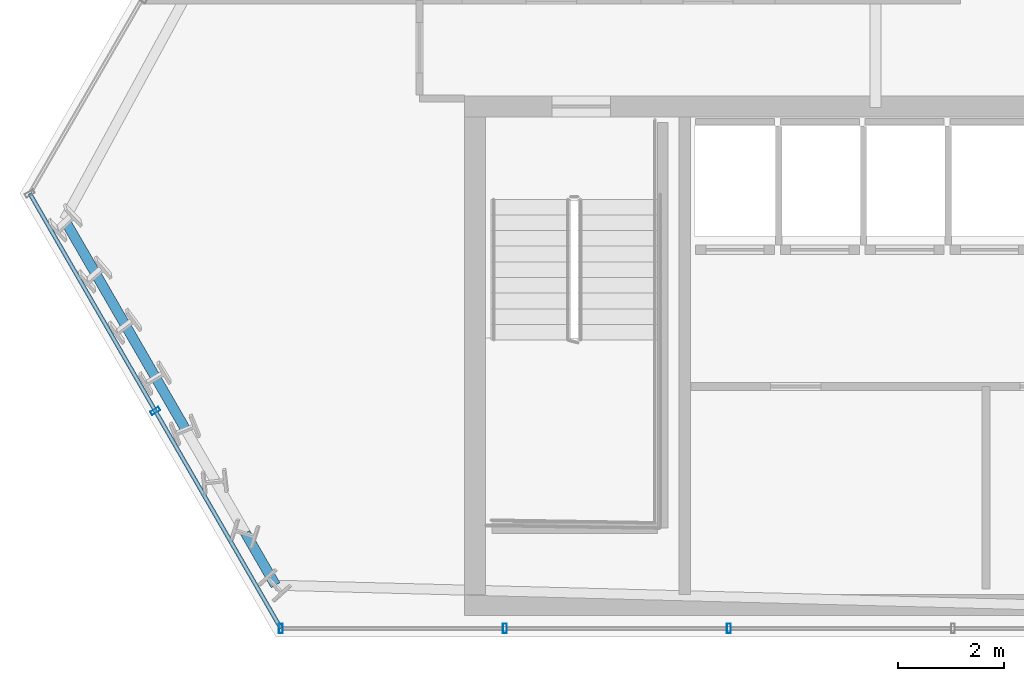
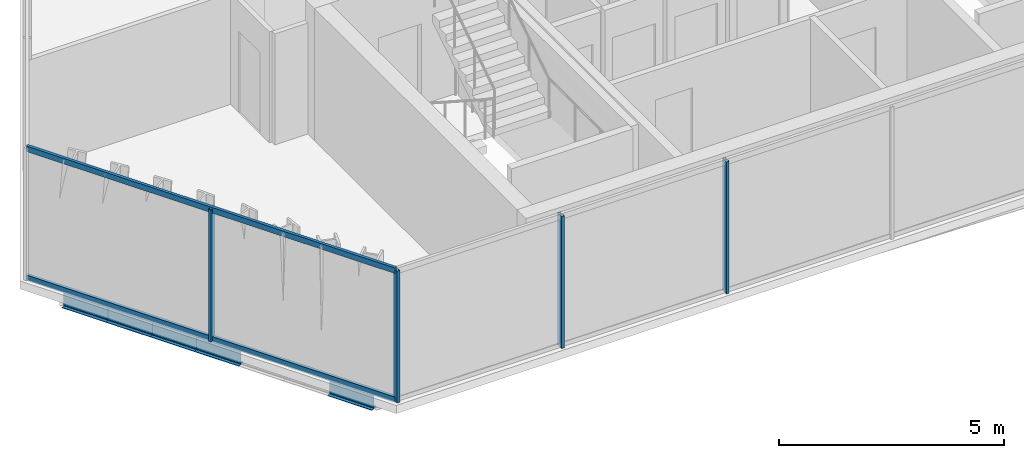
# One storey, part 2 of 33: 6 members, 5 beams, 2 elements without a shape of their own.
"""IFC4 building model written with IfcOpenShell, lengths in metres."""

from ifc_helpers import new_model, si_unit, direction, frame, origin, origin_2d, place, context, subcontext, project, spatial, hollow_rectangle, i_section, extrude, material, layer, layer_set, material_profile, profile_set, type_object, element, aggregate, save


model = new_model("IFC4")

# Units and contexts
model_context = context("Model", 3, precision=1e-05, world=origin(), true_north=direction((0.0, 1.0)))
body_context = subcontext(model_context, "Body", "Model", "MODEL_VIEW")
ifc_project = project(units=[si_unit("LENGTHUNIT", "METRE"), si_unit("AREAUNIT", "SQUARE_METRE"), si_unit("VOLUMEUNIT", "CUBIC_METRE"), si_unit("PLANEANGLEUNIT", "RADIAN"), si_unit("MASSUNIT", "GRAM", prefix="KILO")], contexts=[model_context])

# Site, building, storey
site_placement = place(None, origin())
site = spatial("IfcSite", under=ifc_project, at=site_placement, CompositionType="ELEMENT")
building_placement = place(site_placement, origin())
building = spatial("IfcBuilding", under=site, at=building_placement, Name="Ndaravel Arena Tower", CompositionType="ELEMENT")
storey_placement = place(building_placement, frame((0.0, 0.0, 187.800048828125)))
storey = spatial("IfcBuildingStorey", under=building, at=storey_placement, Name="L45", CompositionType="ELEMENT", Elevation=187.800048828125)

# Beams
ifc_material_1 = material(Name="Steel S355", Category="steel")
ifc_material_profile_1 = material_profile(ifc_material_1, i_section(OverallWidth=0.18994140625, OverallDepth=0.449951171875, WebThickness=0.009521484375, FlangeThickness=0.0146484375, FilletRadius=0.02099609375, at=origin_2d()), Name="IPE 450")
ifc_profile_set_1 = profile_set([ifc_material_profile_1], Name="Steel S355")
beam_type = type_object("IfcBeamType", Name="BM-SPAN-IPE450", PredefinedType="SPANDREL", material=ifc_profile_set_1)
for number, where, z_axis, x_axis, name in (
    (1, (18.906005859375, 12.866943359375, -0.445068359375), (0.499995010897, -0.866028284225, 0.0), (0.866028284225, 0.499995010897, 0.0), "L45 Perimeter Spandrel Beam SP-20"),
    (2, (19.474609375, 11.882080078125, -0.445068359375), (0.499995010897, -0.866028284225, 0.0), (0.866028284225, 0.499995010897, 0.0), "L45 Perimeter Spandrel Beam SP-21"),
):
    element("IfcBeam", number, at=place(storey_placement, frame(where, z_axis=z_axis, x_axis=x_axis)), inside=storey, type_object=beam_type, Name=name, PredefinedType="SPANDREL", context=body_context, shape_type="SweptSolid", body=[
        extrude(i_section(OverallWidth=0.18994140625, OverallDepth=0.449951171875, WebThickness=0.009521484375, FlangeThickness=0.0146484375, FilletRadius=0.02099609375, at=origin_2d()), origin(), (0.0, 0.0, 1.0), 1.13720703125),
    ])
for number, where, z_axis, x_axis, name in (
    (3, (20.043212890625, 10.897216796875, -0.445068359375), (0.499902065766, -0.866081938758, 0.0), (0.866081938758, 0.499902065766, 0.0), "L45 Perimeter Spandrel Beam SP-22"),
    (4, (20.61181640625, 9.912109375, -0.445068359375), (0.500155997749, -0.865935319707, 0.0), (0.865935319707, 0.500155997749, 0.0), "L45 Perimeter Spandrel Beam SP-23"),
    (5, (22.31787109375, 6.95751953125, -0.445068359375), (0.499902065766, -0.866081938758, 0.0), (0.866081938758, 0.499902065766, 0.0), "L45 Perimeter Spandrel Beam SP-26"),
):
    element("IfcBeam", number, at=place(storey_placement, frame(where, z_axis=z_axis, x_axis=x_axis)), inside=storey, type_object=beam_type, Name=name, PredefinedType="SPANDREL", context=body_context, shape_type="SweptSolid", body=[
        extrude(i_section(OverallWidth=0.18994140625, OverallDepth=0.449951171875, WebThickness=0.009521484375, FlangeThickness=0.0146484375, FilletRadius=0.02099609375, at=origin_2d()), origin(), (0.0, 0.0, 1.0), 1.137451171875),
    ])

# Curtain wall, members
ifc_material_2 = material(Name="Aluminium", Category="aluminium")
ifc_layer_1 = layer(ifc_material_2, 0.179931640625)
ifc_layer_set_1 = layer_set([ifc_layer_1], Name="Aluminium")
curtain_wall_type_1 = type_object("IfcCurtainWallType", Name="CW-SYS-03", PredefinedType="NOTDEFINED", material=ifc_layer_set_1)
curtain_wall_1_placement = place(storey_placement, origin())
curtain_wall_1 = element("IfcCurtainWall", 6, at=curtain_wall_1_placement, inside=storey, type_object=curtain_wall_type_1, Name="L45 Faceted Crystal Curtain Wall CW-L45-E01", PredefinedType="NOTDEFINED")
ifc_material_3 = material(Name="Aluminium", Category="aluminium")
ifc_material_profile_2 = material_profile(ifc_material_3, hollow_rectangle(XDim=0.074951171875, YDim=0.179931640625, WallThickness=0.00390625, at=origin_2d()), Name="CW MULLION 75x180x4")
ifc_profile_set_2 = profile_set([ifc_material_profile_2], Name="Aluminium")
member_type_1 = type_object("IfcMemberType", Name="MEM-CW-MUL180", PredefinedType="MULLION", material=ifc_profile_set_2)
member_1_placement = place(storey_placement, frame((22.986083984375, 5.159912109375, 0.0), z_axis=(0.0, 0.0, 1.0), x_axis=(1.0, 0.0, 0.0)))
member_1 = element("IfcMember", 7, at=member_1_placement, type_object=member_type_1, Name="CW-L45-E01 Mullion 00", PredefinedType="MULLION", context=body_context, shape_type="SweptSolid", body=[
    extrude(hollow_rectangle(XDim=0.074951171875, YDim=0.179931640625, WallThickness=0.00390625, at=origin_2d()), origin(), (0.0, 0.0, 1.0), 3.579833984375),
])
member_2_placement = place(storey_placement, frame((27.21142578125, 5.159912109375, 0.0), z_axis=(0.0, 0.0, 1.0), x_axis=(1.0, 0.0, 0.0)))
member_2 = element("IfcMember", 8, at=member_2_placement, type_object=member_type_1, Name="CW-L45-E01 Mullion 01", PredefinedType="MULLION", context=body_context, shape_type="SweptSolid", body=[
    extrude(hollow_rectangle(XDim=0.074951171875, YDim=0.179931640625, WallThickness=0.00390625, at=origin_2d()), origin(), (0.0, 0.0, 1.0), 3.579833984375),
])
member_3_placement = place(storey_placement, frame((31.436767578125, 5.159912109375, 0.0), z_axis=(0.0, 0.0, 1.0), x_axis=(1.0, 0.0, 0.0)))
member_3 = element("IfcMember", 9, at=member_3_placement, type_object=member_type_1, Name="CW-L45-E01 Mullion 02", PredefinedType="MULLION", context=body_context, shape_type="SweptSolid", body=[
    extrude(hollow_rectangle(XDim=0.074951171875, YDim=0.179931640625, WallThickness=0.00390625, at=origin_2d()), origin(), (0.0, 0.0, 1.0), 3.579833984375),
])
aggregate(curtain_wall_1, [member_1, member_2, member_3])

ifc_material_4 = material(Name="Aluminium", Category="aluminium")
ifc_layer_2 = layer(ifc_material_4, 0.179931640625)
ifc_layer_set_2 = layer_set([ifc_layer_2], Name="Aluminium")
curtain_wall_type_2 = type_object("IfcCurtainWallType", Name="CW-SYS-02", PredefinedType="NOTDEFINED", material=ifc_layer_set_2)
curtain_wall_2_placement = place(storey_placement, origin())
curtain_wall_2 = element("IfcCurtainWall", 10, at=curtain_wall_2_placement, inside=storey, type_object=curtain_wall_type_2, Name="L45 Faceted Crystal Curtain Wall CW-L45-E06", PredefinedType="NOTDEFINED")
member_4_placement = place(storey_placement, frame((20.619140625, 9.259765625, 0.0), z_axis=(0.0, 0.0, 1.0), x_axis=(0.5, -0.866025403784, 0.0)))
member_4 = element("IfcMember", 11, at=member_4_placement, type_object=member_type_1, Name="CW-L45-E06 Mullion 01", PredefinedType="MULLION", context=body_context, shape_type="SweptSolid", body=[
    extrude(hollow_rectangle(XDim=0.074951171875, YDim=0.179931640625, WallThickness=0.00390625, at=origin_2d()), origin(), (0.0, 0.0, 1.0), 3.579833984375),
])
ifc_material_5 = material(Name="Aluminium", Category="aluminium")
ifc_material_profile_3 = material_profile(ifc_material_5, hollow_rectangle(XDim=0.074951171875, YDim=0.14990234375, WallThickness=0.00390625, at=origin_2d()), Name="CW TRANSOM 75x150x4")
ifc_profile_set_3 = profile_set([ifc_material_profile_3], Name="Aluminium")
member_type_2 = type_object("IfcMemberType", Name="MEM-CW-TRN150", PredefinedType="USERDEFINED", material=ifc_profile_set_3)
member_5_placement = place(storey_placement, frame((18.252197265625, 13.359375, 0.0400390625), z_axis=(0.499994028088, -0.866028851642, 0.0), x_axis=(0.866028851642, 0.499994028088, 0.0)))
member_5 = element("IfcMember", 12, at=member_5_placement, type_object=member_type_2, Name="CW-L45-E06 Transom 01", ObjectType="TRANSOM", PredefinedType="USERDEFINED", context=body_context, shape_type="SweptSolid", body=[
    extrude(hollow_rectangle(XDim=0.074951171875, YDim=0.14990234375, WallThickness=0.00390625, at=origin_2d()), origin(), (0.0, 0.0, 1.0), 9.4677734375),
])
member_6_placement = place(storey_placement, frame((18.252197265625, 13.359375, 3.5400390625), z_axis=(0.499994028088, -0.866028851642, 0.0), x_axis=(0.866028851642, 0.499994028088, 0.0)))
member_6 = element("IfcMember", 13, at=member_6_placement, type_object=member_type_2, Name="CW-L45-E06 Transom 02", ObjectType="TRANSOM", PredefinedType="USERDEFINED", context=body_context, shape_type="SweptSolid", body=[
    extrude(hollow_rectangle(XDim=0.074951171875, YDim=0.14990234375, WallThickness=0.00390625, at=origin_2d()), origin(), (0.0, 0.0, 1.0), 9.4677734375),
])
aggregate(curtain_wall_2, [member_4, member_5, member_6])

save(model, "model.ifc")
